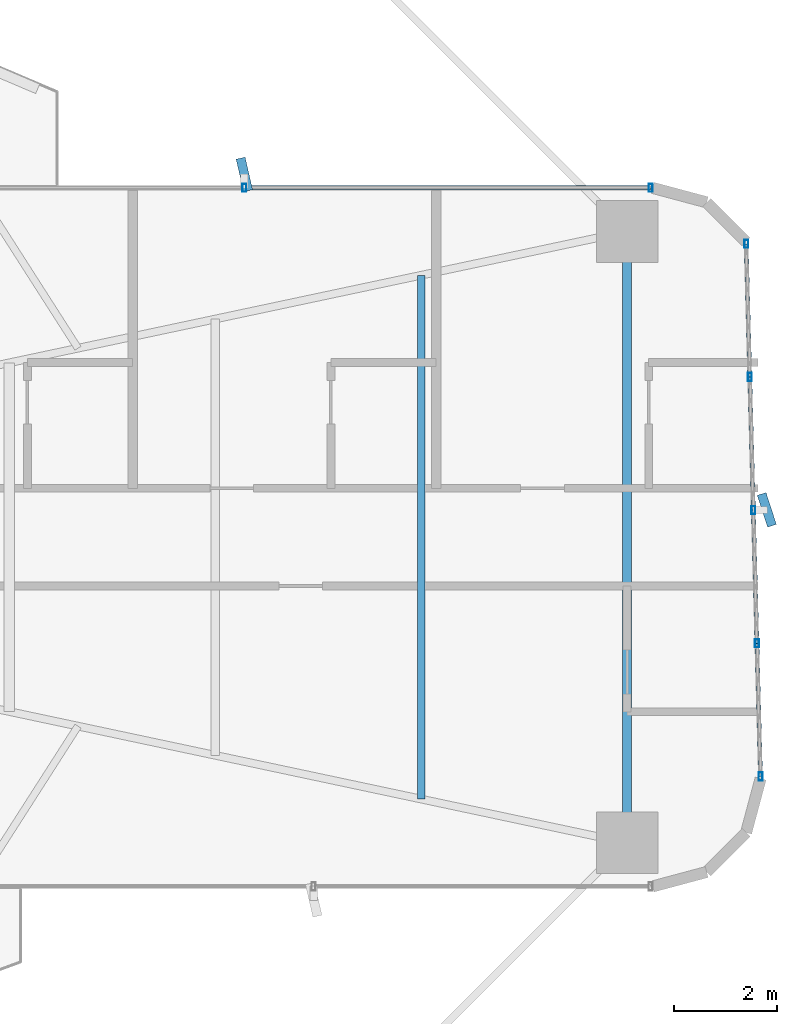
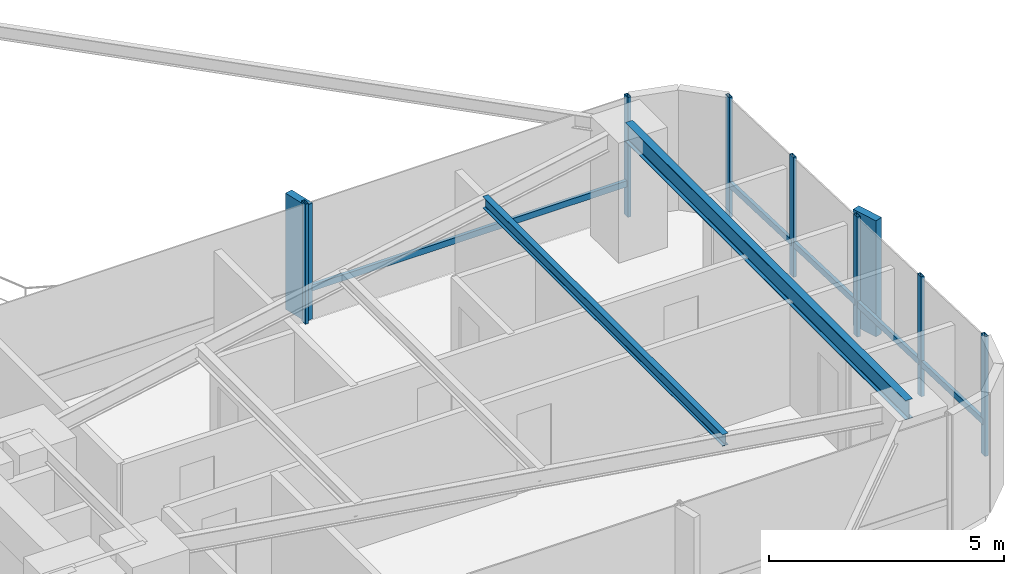
# One storey, part 16 of 26: 14 members, 2 beams, 2 elements without a shape of their own.
"""IFC4 building model written with IfcOpenShell, lengths in metres."""

from ifc_helpers import new_model, si_unit, direction, frame, origin, origin_2d, place, context, subcontext, project, spatial, rectangle, hollow_rectangle, i_section, extrude, source, transform, mapped, material, material_profile, profile_set, type_object, element, aggregate, save


model = new_model("IFC4")

# Units and contexts
model_context = context("Model", 3, precision=1e-05, world=origin(), true_north=direction((0.0, 1.0)))
body_context = subcontext(model_context, "Body", "Model", "MODEL_VIEW")
ifc_project = project(units=[si_unit("LENGTHUNIT", "METRE"), si_unit("AREAUNIT", "SQUARE_METRE"), si_unit("VOLUMEUNIT", "CUBIC_METRE"), si_unit("PLANEANGLEUNIT", "RADIAN"), si_unit("MASSUNIT", "GRAM", prefix="KILO")], contexts=[model_context])

# Site, building, storey
site_placement = place(None, origin())
site = spatial("IfcSite", under=ifc_project, at=site_placement, CompositionType="ELEMENT")
building_placement = place(site_placement, origin())
building = spatial("IfcBuilding", under=site, at=building_placement, Name="Sahyath Konkavel Grand Hotel", CompositionType="ELEMENT")
storey_placement = place(building_placement, frame((0.0, 0.0, 26.449951171875)))
storey = spatial("IfcBuildingStorey", under=building, at=storey_placement, Name="L06", CompositionType="ELEMENT", Elevation=26.449951171875)

# Beams
ifc_material_1 = material(Name="Steel E350", Category="steel")
ifc_material_profile_1 = material_profile(ifc_material_1, i_section(OverallWidth=0.179931640625, OverallDepth=0.5, WebThickness=0.01025390625, FlangeThickness=0.01708984375, FilletRadius=0.01708984375, at=origin_2d()), Name="ISMB 500")
ifc_profile_set_1 = profile_set([ifc_material_profile_1], Name="Steel E350")
beam_type_1 = type_object("IfcBeamType", Name="BM-ISMB500", PredefinedType="BEAM", material=ifc_profile_set_1)
shared_shape_1 = source(origin(), body_context, "Body", "SweptSolid", [
    extrude(i_section(OverallWidth=0.179931640625, OverallDepth=0.5, WebThickness=0.01025390625, FlangeThickness=0.01708984375, FilletRadius=0.01708984375, at=origin_2d()), origin(), (0.0, 0.0, 1.0), 11.89990234375),
])
beam_1_placement = place(storey_placement, frame((22.199951171875, -5.949951171875, 2.860107421875), z_axis=(0.0, 1.0, 0.0), x_axis=(-1.0, 0.0, 0.0)))
element("IfcBeam", 1, at=beam_1_placement, inside=storey, type_object=beam_type_1, Name="L06 Wing Tip Edge Beam E", PredefinedType="BEAM", context=body_context, shape_type="MappedRepresentation", body=[
    mapped(shared_shape_1, transform((0.0, 0.0, 0.0), scale=1.0)),
])
ifc_material_profile_2 = material_profile(ifc_material_1, i_section(OverallWidth=0.139892578125, OverallDepth=0.300048828125, WebThickness=0.0078125, FlangeThickness=0.01318359375, FilletRadius=0.013916015625, at=origin_2d()), Name="ISMB 300")
ifc_profile_set_2 = profile_set([ifc_material_profile_2], Name="Steel E350")
beam_type_2 = type_object("IfcBeamType", Name="BM-ISMB300", PredefinedType="BEAM", material=ifc_profile_set_2)
shared_shape_2 = source(origin(), body_context, "Body", "SweptSolid", [
    extrude(i_section(OverallWidth=0.139892578125, OverallDepth=0.300048828125, WebThickness=0.0078125, FlangeThickness=0.01318359375, FilletRadius=0.013916015625, at=origin_2d()), origin(), (0.0, 0.0, 1.0), 10.19580078125),
])
beam_2_placement = place(storey_placement, frame((18.19189453125, -5.097900390625, 2.9599609375), z_axis=(0.0, 1.0, 0.0), x_axis=(-1.0, 0.0, 0.0)))
element("IfcBeam", 2, at=beam_2_placement, inside=storey, type_object=beam_type_2, Name="L06 Secondary Floor Beam E-3", PredefinedType="BEAM", context=body_context, shape_type="MappedRepresentation", body=[
    mapped(shared_shape_2, transform((0.0, 0.0, 0.0), scale=1.0)),
])

# Curtain wall, member
ifc_material_2 = material(Name="Anodised Bronze Aluminium & Low-E Glazing", Category="aluminium")
curtain_wall_type = type_object("IfcCurtainWallType", Name="CW-ZONE1", PredefinedType="NOTDEFINED", material=ifc_material_2)
curtain_wall_1_placement = place(storey_placement, origin())
curtain_wall_1 = element("IfcCurtainWall", 3, at=curtain_wall_1_placement, inside=storey, type_object=curtain_wall_type, Name="L06 Unitised Curtain Wall F4", PredefinedType="NOTDEFINED")
ifc_material_3 = material(Name="Warm Buff Sandstone Cladding on Concrete C50/60", Category="masonry")
ifc_material_profile_3 = material_profile(ifc_material_3, rectangle(XDim=0.179931640625, YDim=0.64990234375, at=origin_2d()), Name="FIN 180x650")
ifc_profile_set_3 = profile_set([ifc_material_profile_3], Name="Warm Buff Sandstone Cladding on Concrete C50/60")
member_type_1 = type_object("IfcMemberType", Name="FIN-SANDSTONE-650", PredefinedType="MULLION", material=ifc_profile_set_3)
shared_shape_3 = source(origin(), body_context, "Body", "SweptSolid", [
    extrude(rectangle(XDim=0.179931640625, YDim=0.64990234375, at=origin_2d()), origin(), (0.0, 0.0, 1.0), 3.010009765625),
])
member_1_placement = place(storey_placement, frame((24.919189453125, 0.531982421875, 0.050048828125), z_axis=(0.0, 0.0, 1.0), x_axis=(0.951056516295, 0.309016994375, 0.0)))
member_1 = element("IfcMember", 4, at=member_1_placement, type_object=member_type_1, Name="L06 Sandstone Vertical Solar Fin FIN F4-2", PredefinedType="MULLION", context=body_context, shape_type="MappedRepresentation", body=[
    mapped(shared_shape_3, transform((0.0, 0.0, 0.0), scale=1.0)),
])

# Curtain wall, members
curtain_wall_2_placement = place(storey_placement, origin())
curtain_wall_2 = element("IfcCurtainWall", 5, at=curtain_wall_2_placement, inside=storey, type_object=curtain_wall_type, Name="L06 Unitised Curtain Wall F7", PredefinedType="NOTDEFINED")
member_2_placement = place(storey_placement, frame((14.75, 7.06005859375, 0.050048828125), z_axis=(0.0, 0.0, 1.0), x_axis=(0.974644167091, 0.223760469153, 0.0)))
member_2 = element("IfcMember", 6, at=member_2_placement, type_object=member_type_1, Name="L06 Sandstone Vertical Solar Fin FIN F7-1", PredefinedType="MULLION", context=body_context, shape_type="MappedRepresentation", body=[
    mapped(shared_shape_3, transform((0.0, 0.0, 0.0), scale=1.0)),
])
ifc_material_4 = material(Name="Anodised Bronze Aluminium", Category="aluminium")
ifc_material_profile_4 = material_profile(ifc_material_4, hollow_rectangle(XDim=0.080078125, YDim=0.159912109375, WallThickness=0.006103515625, at=origin_2d()), Name="RHS 160x80x6")
ifc_profile_set_4 = profile_set([ifc_material_profile_4], Name="Anodised Bronze Aluminium")
member_type_2 = type_object("IfcMemberType", Name="CW-TRN-160", PredefinedType="USERDEFINED", material=ifc_profile_set_4)
shared_shape_4 = source(origin(), body_context, "Body", "SweptSolid", [
    extrude(hollow_rectangle(XDim=0.080078125, YDim=0.159912109375, WallThickness=0.006103515625, at=origin_2d()), origin(), (0.0, 0.0, 1.0), 7.909912109375),
])
member_3_placement = place(storey_placement, frame((22.659912109375, 6.800048828125, 0.85009765625), z_axis=(-1.0, 0.0, 0.0), x_axis=(0.0, -1.0, 0.0)))
member_3 = element("IfcMember", 7, at=member_3_placement, type_object=member_type_2, Name="L06 Curtain Wall Transom F7-0-spandrel", ObjectType="TRANSOM", PredefinedType="USERDEFINED", context=body_context, shape_type="MappedRepresentation", body=[
    mapped(shared_shape_4, transform((0.0, 0.0, 0.0), scale=1.0)),
])

# Member
shared_shape_5 = source(origin(), body_context, "Body", "SweptSolid", [
    extrude(hollow_rectangle(XDim=0.080078125, YDim=0.159912109375, WallThickness=0.006103515625, at=origin_2d()), origin(), (0.0, 0.0, 1.0), 2.593505859375),
])
member_4_placement = place(storey_placement, frame((24.798828125, -4.659912109375, 0.85009765625), z_axis=(-0.026923093252, 0.999637507825, 0.0), x_axis=(-0.999637507825, -0.026923093252, 0.0)))
member_4 = element("IfcMember", 8, at=member_4_placement, type_object=member_type_2, Name="L06 Curtain Wall Transom F4-0-spandrel", ObjectType="TRANSOM", PredefinedType="USERDEFINED", context=body_context, shape_type="MappedRepresentation", body=[
    mapped(shared_shape_5, transform((0.0, 0.0, 0.0), scale=1.0)),
])

member_5_placement = place(storey_placement, frame((24.6591796875, 0.52490234375, 0.85009765625), z_axis=(-0.02682902444, 0.999640036937, 0.0), x_axis=(-0.999640036937, -0.02682902444, 0.0)))
member_5 = element("IfcMember", 9, at=member_5_placement, type_object=member_type_2, Name="L06 Curtain Wall Transom F4-2-spandrel", ObjectType="TRANSOM", PredefinedType="USERDEFINED", context=body_context, shape_type="MappedRepresentation", body=[
    mapped(shared_shape_5, transform((0.0, 0.0, 0.0), scale=1.0)),
])

member_6_placement = place(storey_placement, frame((24.589599609375, 3.117431640625, 0.85009765625), z_axis=(-0.026923093252, 0.999637507825, 0.0), x_axis=(-0.999637507825, -0.026923093252, 0.0)))
member_6 = element("IfcMember", 10, at=member_6_placement, type_object=member_type_2, Name="L06 Curtain Wall Transom F4-3-spandrel", ObjectType="TRANSOM", PredefinedType="USERDEFINED", context=body_context, shape_type="MappedRepresentation", body=[
    mapped(shared_shape_5, transform((0.0, 0.0, 0.0), scale=1.0)),
])

shared_shape_6 = source(origin(), body_context, "Body", "SweptSolid", [
    extrude(hollow_rectangle(XDim=0.080078125, YDim=0.159912109375, WallThickness=0.006103515625, at=origin_2d()), origin(), (0.0, 0.0, 1.0), 2.59326171875),
])
member_7_placement = place(storey_placement, frame((24.72900390625, -2.0673828125, 0.85009765625), z_axis=(-0.026925627022, 0.99963743958, 0.0), x_axis=(-0.99963743958, -0.026925627022, 0.0)))
member_7 = element("IfcMember", 11, at=member_7_placement, type_object=member_type_2, Name="L06 Curtain Wall Transom F4-1-spandrel", ObjectType="TRANSOM", PredefinedType="USERDEFINED", context=body_context, shape_type="MappedRepresentation", body=[
    mapped(shared_shape_6, transform((0.0, 0.0, 0.0), scale=1.0)),
])

ifc_material_profile_5 = material_profile(ifc_material_4, hollow_rectangle(XDim=0.080078125, YDim=0.159912109375, WallThickness=0.006103515625, at=origin_2d()), Name="RHS 160x80x6")
ifc_profile_set_5 = profile_set([ifc_material_profile_5], Name="Anodised Bronze Aluminium")
member_type_3 = type_object("IfcMemberType", Name="CW-MUL-160", PredefinedType="MULLION", material=ifc_profile_set_5)
shared_shape_7 = source(origin(), body_context, "Body", "SweptSolid", [
    extrude(hollow_rectangle(XDim=0.080078125, YDim=0.159912109375, WallThickness=0.006103515625, at=origin_2d()), origin(), (0.0, 0.0, 1.0), 3.110107421875),
])
member_8_placement = place(storey_placement, frame((24.798828125, -4.659912109375, 0.0), z_axis=(0.0, 0.0, 1.0), x_axis=(1.0, 0.0, 0.0)))
member_8 = element("IfcMember", 12, at=member_8_placement, type_object=member_type_3, Name="L06 Curtain Wall Mullion F4-0", PredefinedType="MULLION", context=body_context, shape_type="MappedRepresentation", body=[
    mapped(shared_shape_7, transform((0.0, 0.0, 0.0), scale=1.0)),
])

member_9_placement = place(storey_placement, frame((24.72900390625, -2.0673828125, 0.0), z_axis=(0.0, 0.0, 1.0), x_axis=(1.0, 0.0, 0.0)))
member_9 = element("IfcMember", 13, at=member_9_placement, type_object=member_type_3, Name="L06 Curtain Wall Mullion F4-1", PredefinedType="MULLION", context=body_context, shape_type="MappedRepresentation", body=[
    mapped(shared_shape_7, transform((0.0, 0.0, 0.0), scale=1.0)),
])

member_10_placement = place(storey_placement, frame((24.6591796875, 0.52490234375, 0.0), z_axis=(0.0, 0.0, 1.0), x_axis=(1.0, 0.0, 0.0)))
member_10 = element("IfcMember", 14, at=member_10_placement, type_object=member_type_3, Name="L06 Curtain Wall Mullion F4-2", PredefinedType="MULLION", context=body_context, shape_type="MappedRepresentation", body=[
    mapped(shared_shape_7, transform((0.0, 0.0, 0.0), scale=1.0)),
])

member_11_placement = place(storey_placement, frame((24.589599609375, 3.117431640625, 0.0), z_axis=(0.0, 0.0, 1.0), x_axis=(1.0, 0.0, 0.0)))
member_11 = element("IfcMember", 15, at=member_11_placement, type_object=member_type_3, Name="L06 Curtain Wall Mullion F4-3", PredefinedType="MULLION", context=body_context, shape_type="MappedRepresentation", body=[
    mapped(shared_shape_7, transform((0.0, 0.0, 0.0), scale=1.0)),
])

member_12_placement = place(storey_placement, frame((24.519775390625, 5.7099609375, 0.0), z_axis=(0.0, 0.0, 1.0), x_axis=(1.0, 0.0, 0.0)))
member_12 = element("IfcMember", 16, at=member_12_placement, type_object=member_type_3, Name="L06 Curtain Wall Mullion F4-4", PredefinedType="MULLION", context=body_context, shape_type="MappedRepresentation", body=[
    mapped(shared_shape_7, transform((0.0, 0.0, 0.0), scale=1.0)),
])

aggregate(curtain_wall_1, [member_8, member_9, member_10, member_1, member_11, member_12, member_4, member_7, member_5, member_6])

member_13_placement = place(storey_placement, frame((22.659912109375, 6.800048828125, 0.0), z_axis=(0.0, 0.0, 1.0), x_axis=(1.0, 0.0, 0.0)))
member_13 = element("IfcMember", 17, at=member_13_placement, type_object=member_type_3, Name="L06 Curtain Wall Mullion F7-0", PredefinedType="MULLION", context=body_context, shape_type="MappedRepresentation", body=[
    mapped(shared_shape_7, transform((0.0, 0.0, 0.0), scale=1.0)),
])

member_14_placement = place(storey_placement, frame((14.75, 6.800048828125, 0.0), z_axis=(0.0, 0.0, 1.0), x_axis=(1.0, 0.0, 0.0)))
member_14 = element("IfcMember", 18, at=member_14_placement, type_object=member_type_3, Name="L06 Curtain Wall Mullion F7-1", PredefinedType="MULLION", context=body_context, shape_type="MappedRepresentation", body=[
    mapped(shared_shape_7, transform((0.0, 0.0, 0.0), scale=1.0)),
])

aggregate(curtain_wall_2, [member_13, member_14, member_2, member_3])

save(model, "model.ifc")
